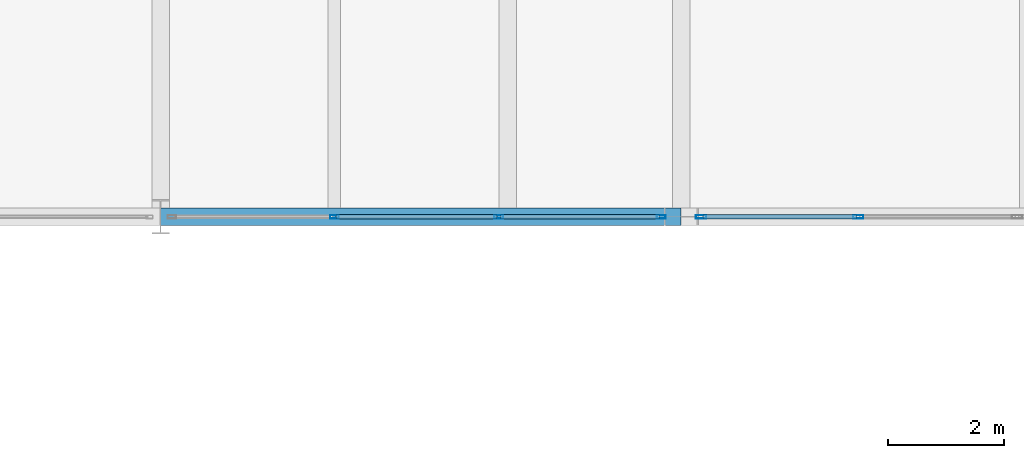
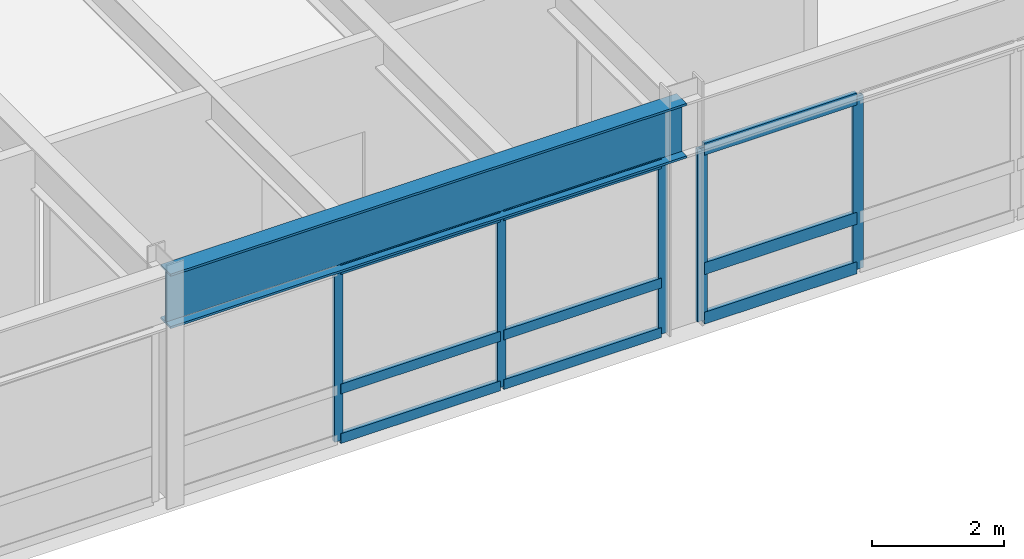
# One storey, part 86 of 115: 14 members, 1 beam, 2 elements without a shape of their own.
"""IFC4 building model written with IfcOpenShell, lengths in metres."""

import ifcopenshell
import ifcopenshell.guid

model = None  # the IFC model being written
_history = None  # IfcOwnerHistory: only IFC2X3 demands one
_inside = {}  # id of a spatial element -> (the spatial element, [elements in it])
_under = {}  # id of a project, library or spatial element -> (it, [spatial elements below it])
_declared = {}  # id of a project -> (the project, [libraries it declares])
_typed = {}  # id of a type object -> (the type object, [elements of that type])
_made_of = {}  # id of a material, layer set ... -> (it, [elements and type objects made of it])


def new_model(schema):
    """Start an empty IFC model of exactly this schema.

    Asked for "IFC4X3", IfcOpenShell would pick the latest addendum, in which some entities
    have other attributes; the version numbers below select the first issue.
    IFC2X3 requires an IfcOwnerHistory on every rooted entity: one is made here for all.
    """
    global model, _history
    if schema == "IFC4X3":
        model = ifcopenshell.file(schema_version=(4, 3, 0, 0))
    else:
        model = ifcopenshell.file(schema=schema)
    _inside.clear()
    _under.clear()
    _declared.clear()
    _typed.clear()
    _made_of.clear()
    _history = None
    if model.schema == "IFC2X3":
        org = make("IfcOrganization", Name="unknown")
        user = make(
            "IfcPersonAndOrganization",
            ThePerson=make("IfcPerson", FamilyName="unknown"),
            TheOrganization=org,
        )
        app = make(
            "IfcApplication",
            ApplicationDeveloper=org,
            Version="unknown",
            ApplicationFullName="unknown",
            ApplicationIdentifier="unknown",
        )
        _history = make(
            "IfcOwnerHistory",
            OwningUser=user,
            OwningApplication=app,
            ChangeAction="ADDED",
            CreationDate=0,
        )
    return model


def make(cls, **values):
    """One entity of the class cls with the attributes given. An attribute that is None is left unset."""
    return model.create_entity(
        cls, **{name: value for name, value in values.items() if value is not None}
    )


def rooted(cls, **values):
    """An entity with a GlobalId (a new one), such as an element, a storey or a relation."""
    return make(cls, GlobalId=ifcopenshell.guid.new(), OwnerHistory=_history, **values)


def si_unit(unit_type, name, prefix=None):
    """IfcSIUnit, for example si_unit("LENGTHUNIT", "METRE", prefix="MILLI")."""
    return make("IfcSIUnit", UnitType=unit_type, Prefix=prefix, Name=name)


def assignment(units):
    """IfcUnitAssignment: the units of a project."""
    return None if units is None else make("IfcUnitAssignment", Units=units)


def point(xyz):
    """IfcCartesianPoint."""
    return None if xyz is None else make("IfcCartesianPoint", Coordinates=xyz)


def direction(xyz):
    """IfcDirection."""
    return None if xyz is None else make("IfcDirection", DirectionRatios=xyz)


def frame(location, z_axis=None, x_axis=None):
    """IfcAxis2Placement3D, a coordinate frame: its origin and axes. An axis left out is left unset."""
    return make(
        "IfcAxis2Placement3D",
        Location=point(location),
        Axis=direction(z_axis),
        RefDirection=direction(x_axis),
    )


def frame_2d(location, x_axis=None):
    """IfcAxis2Placement2D, a coordinate frame in the plane: its origin and x axis."""
    return make(
        "IfcAxis2Placement2D", Location=point(location), RefDirection=direction(x_axis)
    )


def origin():
    """The frame at (0, 0, 0) with its axes left unset."""
    return frame((0.0, 0.0, 0.0))


def origin_2d():
    """The frame at (0, 0) in the plane with its x axis left unset."""
    return frame_2d((0.0, 0.0))


def place(relative_to, where):
    """IfcLocalPlacement: puts the frame where relative to a parent placement (None: the world)."""
    return make(
        "IfcLocalPlacement", PlacementRelTo=relative_to, RelativePlacement=where
    )


def context(
    kind, dimensions, precision=None, world=None, true_north=None, identifier=None
):
    """IfcGeometricRepresentationContext, for example the 3D "Model" context."""
    return make(
        "IfcGeometricRepresentationContext",
        ContextIdentifier=identifier,
        ContextType=kind,
        CoordinateSpaceDimension=dimensions,
        Precision=precision,
        WorldCoordinateSystem=world,
        TrueNorth=true_north,
    )


def subcontext(parent, identifier, kind, view, scale=None):
    """IfcGeometricRepresentationSubContext, for example "Body" below "Model"."""
    return make(
        "IfcGeometricRepresentationSubContext",
        ContextIdentifier=identifier,
        ContextType=kind,
        ParentContext=parent,
        TargetScale=scale,
        TargetView=view,
    )


def project(units=None, contexts=None):
    """IfcProject with its units and contexts."""
    return rooted(
        "IfcProject",
        Name="project",
        RepresentationContexts=contexts,
        UnitsInContext=assignment(units),
    )


def spatial(cls, under=None, at=None, **own):
    """A site, building, storey or space (cls), placed at a placement, below another one or the project."""
    s = rooted(cls, ObjectPlacement=at, **own)
    if under is not None:
        _under.setdefault(under.id(), (under, []))[1].append(s)
    return s


def profile(cls, at=None, kind="AREA", **sizes):
    """A parametric profile (cls). Its sizes go by their IFC names, for example OverallWidth=200.0."""
    return make(cls, ProfileType=kind, Position=at, **sizes)


def hollow_rectangle(**sizes):
    """IfcRectangleHollowProfileDef."""
    return profile("IfcRectangleHollowProfileDef", **sizes)


def i_section(**sizes):
    """IfcIShapeProfileDef."""
    return profile("IfcIShapeProfileDef", **sizes)


def extrude(swept, where, along, depth):
    """IfcExtrudedAreaSolid: the profile swept, set in the frame where, extruded along a direction by depth."""
    return make(
        "IfcExtrudedAreaSolid",
        SweptArea=swept,
        Position=where,
        ExtrudedDirection=direction(along),
        Depth=depth,
    )


def shape(context_of_items, identifier, shape_type, items):
    """IfcShapeRepresentation: the items that make up one representation, for example the "Body"."""
    return make(
        "IfcShapeRepresentation",
        ContextOfItems=context_of_items,
        RepresentationIdentifier=identifier,
        RepresentationType=shape_type,
        Items=items,
    )


def material(Name=None, Category=None):
    """IfcMaterial."""
    return make("IfcMaterial", Name=Name, Category=Category)


def layer(
    of_material, thickness, ventilated=None, Name=None, Category=None, Priority=None
):
    """IfcMaterialLayer: one layer of a wall or slab, of a material (None: an air gap)."""
    return make(
        "IfcMaterialLayer",
        Material=of_material,
        LayerThickness=thickness,
        IsVentilated=ventilated,
        Name=Name,
        Category=Category,
        Priority=Priority,
    )


def layer_set(layers, Name=None):
    """IfcMaterialLayerSet."""
    return make("IfcMaterialLayerSet", MaterialLayers=layers, LayerSetName=Name)


def material_profile(
    of_material, cross_section, Name=None, Category=None, Priority=None
):
    """IfcMaterialProfile: a cross section and its material."""
    return make(
        "IfcMaterialProfile",
        Name=Name,
        Material=of_material,
        Profile=cross_section,
        Priority=Priority,
        Category=Category,
    )


def profile_set(profiles, Name=None, composite=None):
    """IfcMaterialProfileSet."""
    return make(
        "IfcMaterialProfileSet",
        Name=Name,
        MaterialProfiles=profiles,
        CompositeProfile=composite,
    )


def made_of(thing, what):
    """Note that an element or type object is made of a material, layer set ...; save() writes the relation."""
    if what is not None:
        _made_of.setdefault(what.id(), (what, []))[1].append(thing)
    return thing


def type_object(cls, material=None, **own):
    """A type object (cls), such as IfcWallType, which elements share."""
    return made_of(rooted(cls, **own), material)


def element(
    cls,
    number,
    at=None,
    inside=None,
    cuts=None,
    type_object=None,
    material=None,
    context=None,
    identifier="Body",
    shape_type=None,
    held_by="IfcProductDefinitionShape",
    body=None,
    shapes=None,
    **own,
):
    """One element of the class cls, such as IfcWall. Its Tag is "e" and its number.

    at: its placement. inside: the storey or other place that contains it. cuts: it is an
    opening in that element (IfcRelVoidsElement). A single representation is given by context,
    identifier, shape_type and body (its items); several are given by shapes. held_by: the class
    of the entity that holds the representations. save() writes the other relations.
    """
    e = rooted(cls, Tag="e%d" % number, ObjectPlacement=at, **own)
    if body is not None:
        shapes = [shape(context, identifier, shape_type, body)]
    if shapes is not None:
        e.Representation = make(held_by, Representations=shapes)
    if inside is not None:
        _inside.setdefault(inside.id(), (inside, []))[1].append(e)
    if cuts is not None:
        rooted(
            "IfcRelVoidsElement", RelatingBuildingElement=cuts, RelatedOpeningElement=e
        )
    if type_object is not None:
        _typed.setdefault(type_object.id(), (type_object, []))[1].append(e)
    return made_of(e, material)


def aggregate(whole, parts):
    """IfcRelAggregates: a whole, such as a stair, and the parts it consists of."""
    return rooted("IfcRelAggregates", RelatingObject=whole, RelatedObjects=parts)


def save(model, path):
    """Write the relations noted so far, then the file.

    IfcRelAggregates (storeys below a building ...), IfcRelContainedInSpatialStructure (elements
    in a storey), IfcRelDefinesByType, IfcRelAssociatesMaterial and IfcRelDeclares: one each for
    every whole, place, type object, material and project.
    """
    for whole, parts in _under.values():
        aggregate(whole, parts)
    for where, things in _inside.values():
        rooted(
            "IfcRelContainedInSpatialStructure",
            RelatedElements=things,
            RelatingStructure=where,
        )
    for kind, things in _typed.values():
        rooted("IfcRelDefinesByType", RelatedObjects=things, RelatingType=kind)
    for what, things in _made_of.values():
        rooted("IfcRelAssociatesMaterial", RelatedObjects=things, RelatingMaterial=what)
    for by, libraries in _declared.values():
        rooted("IfcRelDeclares", RelatingContext=by, RelatedDefinitions=libraries)
    model.write(path)


model = new_model("IFC4")

# Units and contexts
model_context = context("Model", 3, precision=1e-05, world=origin(), true_north=direction((0.0, 1.0)))
body_context = subcontext(model_context, "Body", "Model", "MODEL_VIEW")
ifc_project = project(units=[si_unit("LENGTHUNIT", "METRE"), si_unit("AREAUNIT", "SQUARE_METRE"), si_unit("VOLUMEUNIT", "CUBIC_METRE"), si_unit("PLANEANGLEUNIT", "RADIAN"), si_unit("MASSUNIT", "GRAM", prefix="KILO")], contexts=[model_context])

# Site, building, storey
site_placement = place(None, origin())
site = spatial("IfcSite", under=ifc_project, at=site_placement, CompositionType="ELEMENT")
building_placement = place(site_placement, origin())
building = spatial("IfcBuilding", under=site, at=building_placement, Name="Montelvaro Courts of Justice", CompositionType="ELEMENT")
storey_placement = place(building_placement, frame((0.0, 0.0, 9.89990234375)))
storey = spatial("IfcBuildingStorey", under=building, at=storey_placement, Name="L02", CompositionType="ELEMENT", Elevation=9.89990234375)

# Beam
ifc_material_1 = material(Name="Steel S355", Category="steel")
ifc_material_profile_1 = material_profile(ifc_material_1, i_section(OverallWidth=0.302001953125, OverallDepth=1.008056640625, WebThickness=0.02099609375, FlangeThickness=0.0400390625, at=origin_2d()), Name="HEM 1000")
ifc_profile_set_1 = profile_set([ifc_material_profile_1], Name="Steel S355")
beam_type = type_object("IfcBeamType", Name="Beam_HEM1000", PredefinedType="USERDEFINED", material=ifc_profile_set_1)
beam_placement = place(storey_placement, frame((144.0, 78.0, 3.696044921875), z_axis=(1.0, 0.0, 0.0), x_axis=(0.0, 1.0, 0.0)))
element("IfcBeam", 1, at=beam_placement, inside=storey, type_object=beam_type, Name="Pratt Cantilever Truss Chord CTR-V2-S-L03-BS2", ObjectType="GIRDER", PredefinedType="USERDEFINED", context=body_context, shape_type="SweptSolid", body=[
    extrude(i_section(OverallWidth=0.302001953125, OverallDepth=1.008056640625, WebThickness=0.02099609375, FlangeThickness=0.0400390625, at=origin_2d()), origin(), (0.0, 0.0, 1.0), 9.0),
])

# Curtain wall, members
ifc_material_2 = material(Name="Anodised aluminium EN AW-6063", Category="aluminium")
ifc_layer_1 = layer(ifc_material_2, 0.159912109375)
ifc_layer_set_1 = layer_set([ifc_layer_1], Name="Anodised aluminium EN AW-6063")
curtain_wall_type_1 = type_object("IfcCurtainWallType", Name="CurtainWall_21_849x418", PredefinedType="USERDEFINED", material=ifc_layer_set_1)
curtain_wall_1_placement = place(storey_placement, origin())
curtain_wall_1 = element("IfcCurtainWall", 2, at=curtain_wall_1_placement, inside=storey, type_object=curtain_wall_type_1, Name="Curtain Wall CW-21 (L02)", ObjectType="CURTAIN WALL", PredefinedType="USERDEFINED")
ifc_material_profile_2 = material_profile(ifc_material_2, hollow_rectangle(XDim=0.06005859375, YDim=0.14990234375, WallThickness=0.00390625, at=origin_2d()), Name="ALU-M 60x150")
ifc_profile_set_2 = profile_set([ifc_material_profile_2], Name="Anodised aluminium EN AW-6063")
member_type_1 = type_object("IfcMemberType", Name="CurtainWall_Mullion_60x150", PredefinedType="MULLION", material=ifc_profile_set_2)
member_1_placement = place(storey_placement, frame((147.0048828125, 78.0, 0.0), z_axis=(0.0, 0.0, 1.0), x_axis=(0.0, 1.0, 0.0)))
member_1 = element("IfcMember", 3, at=member_1_placement, type_object=member_type_1, Name="CW-21 mullion 2", PredefinedType="MULLION", context=body_context, shape_type="SweptSolid", body=[
    extrude(hollow_rectangle(XDim=0.06005859375, YDim=0.14990234375, WallThickness=0.00390625, at=origin_2d()), origin(), (0.0, 0.0, 1.0), 3.18701171875),
])
member_2_placement = place(storey_placement, frame((149.844970703125, 78.0, 0.0), z_axis=(0.0, 0.0, 1.0), x_axis=(0.0, 1.0, 0.0)))
member_2 = element("IfcMember", 4, at=member_2_placement, type_object=member_type_1, Name="CW-21 mullion 3", PredefinedType="MULLION", context=body_context, shape_type="SweptSolid", body=[
    extrude(hollow_rectangle(XDim=0.06005859375, YDim=0.14990234375, WallThickness=0.00390625, at=origin_2d()), origin(), (0.0, 0.0, 1.0), 3.18701171875),
])
member_3_placement = place(storey_placement, frame((152.655029296875, 78.0, 0.0), z_axis=(0.0, 0.0, 1.0), x_axis=(0.0, 1.0, 0.0)))
member_3 = element("IfcMember", 5, at=member_3_placement, type_object=member_type_1, Name="CW-21 mullion 4", PredefinedType="MULLION", context=body_context, shape_type="SweptSolid", body=[
    extrude(hollow_rectangle(XDim=0.06005859375, YDim=0.14990234375, WallThickness=0.00390625, at=origin_2d()), origin(), (0.0, 0.0, 1.0), 3.18701171875),
])

ifc_layer_2 = layer(ifc_material_2, 0.159912109375)
ifc_layer_set_2 = layer_set([ifc_layer_2], Name="Anodised aluminium EN AW-6063")
curtain_wall_type_2 = type_object("IfcCurtainWallType", Name="CurtainWall_26_824x418", PredefinedType="USERDEFINED", material=ifc_layer_set_2)
curtain_wall_2_placement = place(storey_placement, origin())
curtain_wall_2 = element("IfcCurtainWall", 6, at=curtain_wall_2_placement, inside=storey, type_object=curtain_wall_type_2, Name="Curtain Wall CW-26 (L02)", ObjectType="CURTAIN WALL", PredefinedType="USERDEFINED")
ifc_material_profile_3 = material_profile(ifc_material_2, hollow_rectangle(XDim=0.06005859375, YDim=0.179931640625, WallThickness=0.00439453125, at=origin_2d()), Name="ALU-M 60x180")
ifc_profile_set_3 = profile_set([ifc_material_profile_3], Name="Anodised aluminium EN AW-6063")
member_type_2 = type_object("IfcMemberType", Name="CurtainWall_Mullion_60x180", PredefinedType="MULLION", material=ifc_profile_set_3)
member_4_placement = place(storey_placement, frame((153.344970703125, 78.0, 0.0), z_axis=(0.0, 0.0, 1.0), x_axis=(0.0, 1.0, 0.0)))
member_4 = element("IfcMember", 7, at=member_4_placement, type_object=member_type_2, Name="CW-26 mullion 1", PredefinedType="MULLION", context=body_context, shape_type="SweptSolid", body=[
    extrude(hollow_rectangle(XDim=0.06005859375, YDim=0.179931640625, WallThickness=0.00439453125, at=origin_2d()), origin(), (0.0, 0.0, 1.0), 3.18701171875),
])
member_5_placement = place(storey_placement, frame((156.06005859375, 78.0, 0.0), z_axis=(0.0, 0.0, 1.0), x_axis=(0.0, 1.0, 0.0)))
member_5 = element("IfcMember", 8, at=member_5_placement, type_object=member_type_2, Name="CW-26 mullion 2", PredefinedType="MULLION", context=body_context, shape_type="SweptSolid", body=[
    extrude(hollow_rectangle(XDim=0.06005859375, YDim=0.179931640625, WallThickness=0.00439453125, at=origin_2d()), origin(), (0.0, 0.0, 1.0), 3.18701171875),
])

# Member
ifc_material_profile_4 = material_profile(ifc_material_2, hollow_rectangle(XDim=0.074951171875, YDim=0.179931640625, WallThickness=0.0048828125, at=origin_2d()), Name="ALU-T 75x180")
ifc_profile_set_4 = profile_set([ifc_material_profile_4], Name="Anodised aluminium EN AW-6063")
member_type_3 = type_object("IfcMemberType", Name="CurtainWall_Transom_75x180", PredefinedType="USERDEFINED", material=ifc_profile_set_4)
member_6_placement = place(storey_placement, frame((147.034912109375, 78.0, 0.03759765625), z_axis=(1.0, 0.0, 0.0), x_axis=(0.0, 1.0, 0.0)))
member_6 = element("IfcMember", 9, at=member_6_placement, type_object=member_type_3, Name="CW-21 transom 2.1", ObjectType="TRANSOM", PredefinedType="USERDEFINED", context=body_context, shape_type="SweptSolid", body=[
    extrude(hollow_rectangle(XDim=0.074951171875, YDim=0.179931640625, WallThickness=0.0048828125, at=origin_2d()), origin(), (0.0, 0.0, 1.0), 2.780029296875),
])

member_7_placement = place(storey_placement, frame((147.034912109375, 78.0, 0.9501953125), z_axis=(1.0, 0.0, 0.0), x_axis=(0.0, 1.0, 0.0)))
member_7 = element("IfcMember", 10, at=member_7_placement, type_object=member_type_3, Name="CW-21 transom 2.2", ObjectType="TRANSOM", PredefinedType="USERDEFINED", context=body_context, shape_type="SweptSolid", body=[
    extrude(hollow_rectangle(XDim=0.074951171875, YDim=0.179931640625, WallThickness=0.0048828125, at=origin_2d()), origin(), (0.0, 0.0, 1.0), 2.780029296875),
])

member_8_placement = place(storey_placement, frame((147.034912109375, 78.0, 3.149658203125), z_axis=(1.0, 0.0, 0.0), x_axis=(0.0, 1.0, 0.0)))
member_8 = element("IfcMember", 11, at=member_8_placement, type_object=member_type_3, Name="CW-21 transom 2.3", ObjectType="TRANSOM", PredefinedType="USERDEFINED", context=body_context, shape_type="SweptSolid", body=[
    extrude(hollow_rectangle(XDim=0.074951171875, YDim=0.179931640625, WallThickness=0.0048828125, at=origin_2d()), origin(), (0.0, 0.0, 1.0), 2.780029296875),
])

member_9_placement = place(storey_placement, frame((149.875, 78.0, 0.03759765625), z_axis=(1.0, 0.0, 0.0), x_axis=(0.0, 1.0, 0.0)))
member_9 = element("IfcMember", 12, at=member_9_placement, type_object=member_type_3, Name="CW-21 transom 3.1", ObjectType="TRANSOM", PredefinedType="USERDEFINED", context=body_context, shape_type="SweptSolid", body=[
    extrude(hollow_rectangle(XDim=0.074951171875, YDim=0.179931640625, WallThickness=0.0048828125, at=origin_2d()), origin(), (0.0, 0.0, 1.0), 2.75),
])

member_10_placement = place(storey_placement, frame((149.875, 78.0, 0.9501953125), z_axis=(1.0, 0.0, 0.0), x_axis=(0.0, 1.0, 0.0)))
member_10 = element("IfcMember", 13, at=member_10_placement, type_object=member_type_3, Name="CW-21 transom 3.2", ObjectType="TRANSOM", PredefinedType="USERDEFINED", context=body_context, shape_type="SweptSolid", body=[
    extrude(hollow_rectangle(XDim=0.074951171875, YDim=0.179931640625, WallThickness=0.0048828125, at=origin_2d()), origin(), (0.0, 0.0, 1.0), 2.75),
])

member_11_placement = place(storey_placement, frame((149.875, 78.0, 3.149658203125), z_axis=(1.0, 0.0, 0.0), x_axis=(0.0, 1.0, 0.0)))
member_11 = element("IfcMember", 14, at=member_11_placement, type_object=member_type_3, Name="CW-21 transom 3.3", ObjectType="TRANSOM", PredefinedType="USERDEFINED", context=body_context, shape_type="SweptSolid", body=[
    extrude(hollow_rectangle(XDim=0.074951171875, YDim=0.179931640625, WallThickness=0.0048828125, at=origin_2d()), origin(), (0.0, 0.0, 1.0), 2.75),
])

aggregate(curtain_wall_1, [member_1, member_2, member_3, member_6, member_7, member_8, member_9, member_10, member_11])

ifc_material_profile_5 = material_profile(ifc_material_2, hollow_rectangle(XDim=0.074951171875, YDim=0.219970703125, WallThickness=0.005615234375, at=origin_2d()), Name="ALU-T 75x220")
ifc_profile_set_5 = profile_set([ifc_material_profile_5], Name="Anodised aluminium EN AW-6063")
member_type_4 = type_object("IfcMemberType", Name="CurtainWall_Transom_75x220", PredefinedType="USERDEFINED", material=ifc_profile_set_5)
member_12_placement = place(storey_placement, frame((153.375, 78.0, 0.03759765625), z_axis=(1.0, 0.0, 0.0), x_axis=(0.0, 1.0, 0.0)))
member_12 = element("IfcMember", 15, at=member_12_placement, type_object=member_type_4, Name="CW-26 transom 1.1", ObjectType="TRANSOM", PredefinedType="USERDEFINED", context=body_context, shape_type="SweptSolid", body=[
    extrude(hollow_rectangle(XDim=0.074951171875, YDim=0.219970703125, WallThickness=0.005615234375, at=origin_2d()), origin(), (0.0, 0.0, 1.0), 2.655029296875),
])

member_13_placement = place(storey_placement, frame((153.375, 78.0, 0.9501953125), z_axis=(1.0, 0.0, 0.0), x_axis=(0.0, 1.0, 0.0)))
member_13 = element("IfcMember", 16, at=member_13_placement, type_object=member_type_4, Name="CW-26 transom 1.2", ObjectType="TRANSOM", PredefinedType="USERDEFINED", context=body_context, shape_type="SweptSolid", body=[
    extrude(hollow_rectangle(XDim=0.074951171875, YDim=0.219970703125, WallThickness=0.005615234375, at=origin_2d()), origin(), (0.0, 0.0, 1.0), 2.655029296875),
])

member_14_placement = place(storey_placement, frame((153.375, 78.0, 3.149658203125), z_axis=(1.0, 0.0, 0.0), x_axis=(0.0, 1.0, 0.0)))
member_14 = element("IfcMember", 17, at=member_14_placement, type_object=member_type_4, Name="CW-26 transom 1.3", ObjectType="TRANSOM", PredefinedType="USERDEFINED", context=body_context, shape_type="SweptSolid", body=[
    extrude(hollow_rectangle(XDim=0.074951171875, YDim=0.219970703125, WallThickness=0.005615234375, at=origin_2d()), origin(), (0.0, 0.0, 1.0), 2.655029296875),
])

aggregate(curtain_wall_2, [member_4, member_5, member_12, member_13, member_14])

save(model, "model.ifc")
